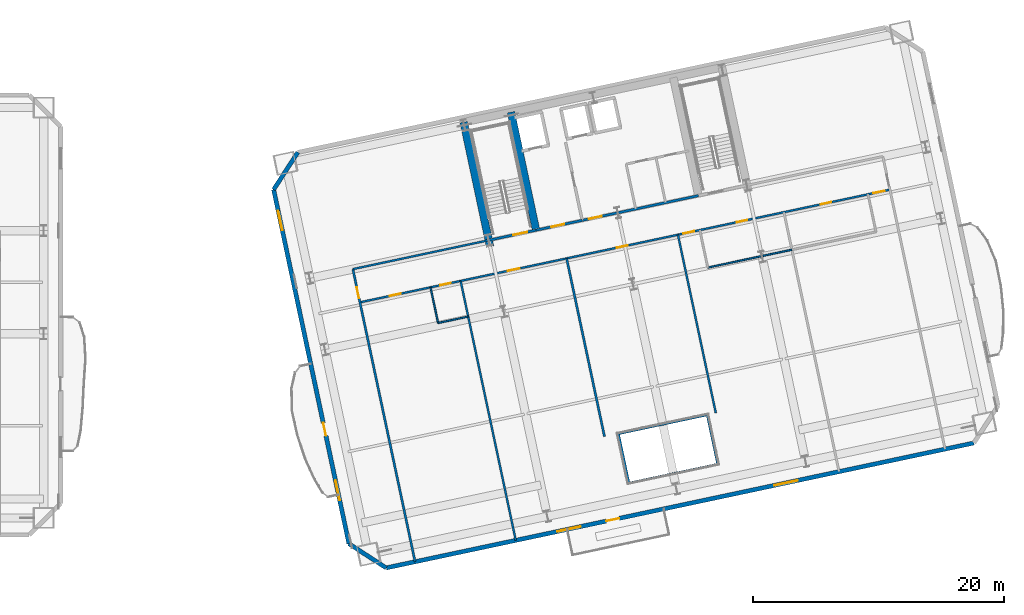
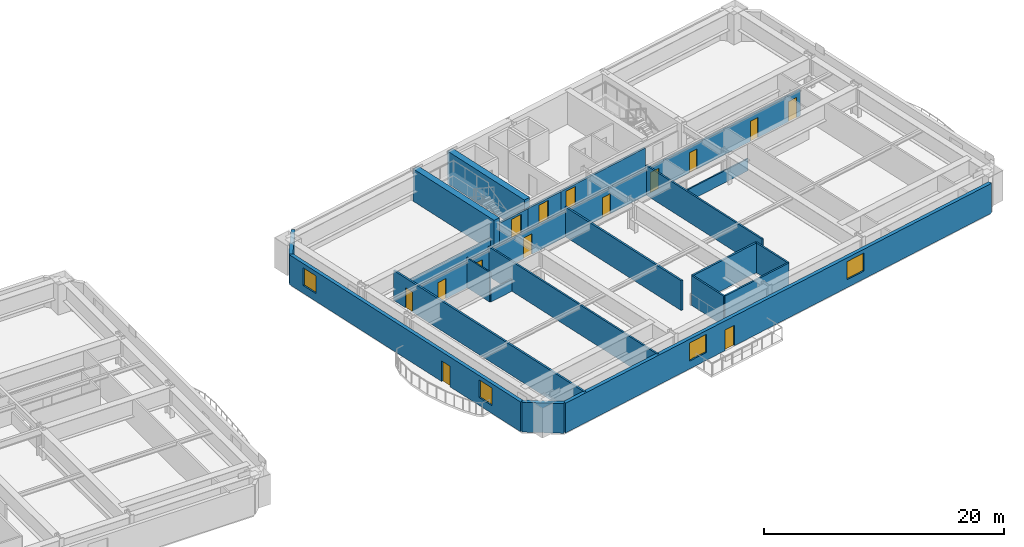
# One storey, part 9 of 18: 22 walls, 14 doors, 4 windows, 18 openings.
"""IFC4 building model written with IfcOpenShell, lengths in metres."""

import ifcopenshell
import ifcopenshell.guid

model = None  # the IFC model being written
_history = None  # IfcOwnerHistory: only IFC2X3 demands one
_inside = {}  # id of a spatial element -> (the spatial element, [elements in it])
_under = {}  # id of a project, library or spatial element -> (it, [spatial elements below it])
_declared = {}  # id of a project -> (the project, [libraries it declares])
_typed = {}  # id of a type object -> (the type object, [elements of that type])
_made_of = {}  # id of a material, layer set ... -> (it, [elements and type objects made of it])


def new_model(schema):
    """Start an empty IFC model of exactly this schema.

    Asked for "IFC4X3", IfcOpenShell would pick the latest addendum, in which some entities
    have other attributes; the version numbers below select the first issue.
    IFC2X3 requires an IfcOwnerHistory on every rooted entity: one is made here for all.
    """
    global model, _history
    if schema == "IFC4X3":
        model = ifcopenshell.file(schema_version=(4, 3, 0, 0))
    else:
        model = ifcopenshell.file(schema=schema)
    _inside.clear()
    _under.clear()
    _declared.clear()
    _typed.clear()
    _made_of.clear()
    _history = None
    if model.schema == "IFC2X3":
        org = make("IfcOrganization", Name="unknown")
        user = make(
            "IfcPersonAndOrganization",
            ThePerson=make("IfcPerson", FamilyName="unknown"),
            TheOrganization=org,
        )
        app = make(
            "IfcApplication",
            ApplicationDeveloper=org,
            Version="unknown",
            ApplicationFullName="unknown",
            ApplicationIdentifier="unknown",
        )
        _history = make(
            "IfcOwnerHistory",
            OwningUser=user,
            OwningApplication=app,
            ChangeAction="ADDED",
            CreationDate=0,
        )
    return model


def make(cls, **values):
    """One entity of the class cls with the attributes given. An attribute that is None is left unset."""
    return model.create_entity(
        cls, **{name: value for name, value in values.items() if value is not None}
    )


def rooted(cls, **values):
    """An entity with a GlobalId (a new one), such as an element, a storey or a relation."""
    return make(cls, GlobalId=ifcopenshell.guid.new(), OwnerHistory=_history, **values)


def si_unit(unit_type, name, prefix=None):
    """IfcSIUnit, for example si_unit("LENGTHUNIT", "METRE", prefix="MILLI")."""
    return make("IfcSIUnit", UnitType=unit_type, Prefix=prefix, Name=name)


def assignment(units):
    """IfcUnitAssignment: the units of a project."""
    return None if units is None else make("IfcUnitAssignment", Units=units)


def point(xyz):
    """IfcCartesianPoint."""
    return None if xyz is None else make("IfcCartesianPoint", Coordinates=xyz)


def direction(xyz):
    """IfcDirection."""
    return None if xyz is None else make("IfcDirection", DirectionRatios=xyz)


def frame(location, z_axis=None, x_axis=None):
    """IfcAxis2Placement3D, a coordinate frame: its origin and axes. An axis left out is left unset."""
    return make(
        "IfcAxis2Placement3D",
        Location=point(location),
        Axis=direction(z_axis),
        RefDirection=direction(x_axis),
    )


def frame_2d(location, x_axis=None):
    """IfcAxis2Placement2D, a coordinate frame in the plane: its origin and x axis."""
    return make(
        "IfcAxis2Placement2D", Location=point(location), RefDirection=direction(x_axis)
    )


def origin():
    """The frame at (0, 0, 0) with its axes left unset."""
    return frame((0.0, 0.0, 0.0))


def place(relative_to, where):
    """IfcLocalPlacement: puts the frame where relative to a parent placement (None: the world)."""
    return make(
        "IfcLocalPlacement", PlacementRelTo=relative_to, RelativePlacement=where
    )


def context(
    kind, dimensions, precision=None, world=None, true_north=None, identifier=None
):
    """IfcGeometricRepresentationContext, for example the 3D "Model" context."""
    return make(
        "IfcGeometricRepresentationContext",
        ContextIdentifier=identifier,
        ContextType=kind,
        CoordinateSpaceDimension=dimensions,
        Precision=precision,
        WorldCoordinateSystem=world,
        TrueNorth=true_north,
    )


def subcontext(parent, identifier, kind, view, scale=None):
    """IfcGeometricRepresentationSubContext, for example "Body" below "Model"."""
    return make(
        "IfcGeometricRepresentationSubContext",
        ContextIdentifier=identifier,
        ContextType=kind,
        ParentContext=parent,
        TargetScale=scale,
        TargetView=view,
    )


def project(units=None, contexts=None):
    """IfcProject with its units and contexts."""
    return rooted(
        "IfcProject",
        Name="project",
        RepresentationContexts=contexts,
        UnitsInContext=assignment(units),
    )


def spatial(cls, under=None, at=None, **own):
    """A site, building, storey or space (cls), placed at a placement, below another one or the project."""
    s = rooted(cls, ObjectPlacement=at, **own)
    if under is not None:
        _under.setdefault(under.id(), (under, []))[1].append(s)
    return s


def profile(cls, at=None, kind="AREA", **sizes):
    """A parametric profile (cls). Its sizes go by their IFC names, for example OverallWidth=200.0."""
    return make(cls, ProfileType=kind, Position=at, **sizes)


def rectangle(**sizes):
    """IfcRectangleProfileDef."""
    return profile("IfcRectangleProfileDef", **sizes)


def extrude(swept, where, along, depth):
    """IfcExtrudedAreaSolid: the profile swept, set in the frame where, extruded along a direction by depth."""
    return make(
        "IfcExtrudedAreaSolid",
        SweptArea=swept,
        Position=where,
        ExtrudedDirection=direction(along),
        Depth=depth,
    )


def shape(context_of_items, identifier, shape_type, items):
    """IfcShapeRepresentation: the items that make up one representation, for example the "Body"."""
    return make(
        "IfcShapeRepresentation",
        ContextOfItems=context_of_items,
        RepresentationIdentifier=identifier,
        RepresentationType=shape_type,
        Items=items,
    )


def material(Name=None, Category=None):
    """IfcMaterial."""
    return make("IfcMaterial", Name=Name, Category=Category)


def layer(
    of_material, thickness, ventilated=None, Name=None, Category=None, Priority=None
):
    """IfcMaterialLayer: one layer of a wall or slab, of a material (None: an air gap)."""
    return make(
        "IfcMaterialLayer",
        Material=of_material,
        LayerThickness=thickness,
        IsVentilated=ventilated,
        Name=Name,
        Category=Category,
        Priority=Priority,
    )


def layer_set(layers, Name=None):
    """IfcMaterialLayerSet."""
    return make("IfcMaterialLayerSet", MaterialLayers=layers, LayerSetName=Name)


def made_of(thing, what):
    """Note that an element or type object is made of a material, layer set ...; save() writes the relation."""
    if what is not None:
        _made_of.setdefault(what.id(), (what, []))[1].append(thing)
    return thing


def type_object(cls, material=None, **own):
    """A type object (cls), such as IfcWallType, which elements share."""
    return made_of(rooted(cls, **own), material)


def element(
    cls,
    number,
    at=None,
    inside=None,
    cuts=None,
    type_object=None,
    material=None,
    context=None,
    identifier="Body",
    shape_type=None,
    held_by="IfcProductDefinitionShape",
    body=None,
    shapes=None,
    **own,
):
    """One element of the class cls, such as IfcWall. Its Tag is "e" and its number.

    at: its placement. inside: the storey or other place that contains it. cuts: it is an
    opening in that element (IfcRelVoidsElement). A single representation is given by context,
    identifier, shape_type and body (its items); several are given by shapes. held_by: the class
    of the entity that holds the representations. save() writes the other relations.
    """
    e = rooted(cls, Tag="e%d" % number, ObjectPlacement=at, **own)
    if body is not None:
        shapes = [shape(context, identifier, shape_type, body)]
    if shapes is not None:
        e.Representation = make(held_by, Representations=shapes)
    if inside is not None:
        _inside.setdefault(inside.id(), (inside, []))[1].append(e)
    if cuts is not None:
        rooted(
            "IfcRelVoidsElement", RelatingBuildingElement=cuts, RelatedOpeningElement=e
        )
    if type_object is not None:
        _typed.setdefault(type_object.id(), (type_object, []))[1].append(e)
    return made_of(e, material)


def fill(opening, filler):
    """IfcRelFillsElement: the door or window that sits in an opening."""
    return rooted(
        "IfcRelFillsElement",
        RelatingOpeningElement=opening,
        RelatedBuildingElement=filler,
    )


def aggregate(whole, parts):
    """IfcRelAggregates: a whole, such as a stair, and the parts it consists of."""
    return rooted("IfcRelAggregates", RelatingObject=whole, RelatedObjects=parts)


def save(model, path):
    """Write the relations noted so far, then the file.

    IfcRelAggregates (storeys below a building ...), IfcRelContainedInSpatialStructure (elements
    in a storey), IfcRelDefinesByType, IfcRelAssociatesMaterial and IfcRelDeclares: one each for
    every whole, place, type object, material and project.
    """
    for whole, parts in _under.values():
        aggregate(whole, parts)
    for where, things in _inside.values():
        rooted(
            "IfcRelContainedInSpatialStructure",
            RelatedElements=things,
            RelatingStructure=where,
        )
    for kind, things in _typed.values():
        rooted("IfcRelDefinesByType", RelatedObjects=things, RelatingType=kind)
    for what, things in _made_of.values():
        rooted("IfcRelAssociatesMaterial", RelatedObjects=things, RelatingMaterial=what)
    for by, libraries in _declared.values():
        rooted("IfcRelDeclares", RelatingContext=by, RelatedDefinitions=libraries)
    model.write(path)


model = new_model("IFC4")

# Units and contexts
model_context = context("Model", 3, precision=1e-05, world=origin(), true_north=direction((0.0, 1.0)))
body_context = subcontext(model_context, "Body", "Model", "MODEL_VIEW")
ifc_project = project(units=[si_unit("LENGTHUNIT", "METRE"), si_unit("AREAUNIT", "SQUARE_METRE"), si_unit("VOLUMEUNIT", "CUBIC_METRE"), si_unit("PLANEANGLEUNIT", "RADIAN"), si_unit("MASSUNIT", "GRAM", prefix="KILO")], contexts=[model_context])

# Site, building, storey
site_placement = place(None, origin())
site = spatial("IfcSite", under=ifc_project, at=site_placement, CompositionType="ELEMENT")
building_placement = place(site_placement, origin())
building = spatial("IfcBuilding", under=site, at=building_placement, Name="Haevon Station Towers", CompositionType="ELEMENT")
storey_placement = place(building_placement, frame((0.0, 0.0, 47.10009765625)))
storey = spatial("IfcBuildingStorey", under=building, at=storey_placement, Name="L11", CompositionType="ELEMENT", Elevation=47.10009765625)

# Wall, opening, door
ifc_material_1 = material(Name="Gypsum board on steel stud", Category="steel")
ifc_layer_1 = layer(ifc_material_1, 0.179931640625)
ifc_layer_set_1 = layer_set([ifc_layer_1], Name="Gypsum board on steel stud")
wall_type_1 = type_object("IfcWallType", Name="WL-ACU180", PredefinedType="PARTITIONING", material=ifc_layer_set_1)
wall_1_placement = place(storey_placement, frame((92.89208984375, 11.864990234375, 0.0), z_axis=(0.0, 0.0, 1.0), x_axis=(-0.207908442811, 0.978148291113, 0.0)))
wall_1 = element("IfcWall", 1, at=wall_1_placement, inside=storey, type_object=wall_type_1, Name="WL-T2PT-L11-03", PredefinedType="PARTITIONING", context=body_context, shape_type="SweptSolid", body=[
    extrude(rectangle(XDim=23.800048828125, YDim=0.179931640625, at=frame_2d((11.89990234375, 0.0))), origin(), (0.0, 0.0, 1.0), 3.02978515625),
])
opening_1_placement = place(wall_1_placement, frame((21.419921875, 0.0, 0.0)))
opening_1 = element("IfcOpeningElement", 2, at=opening_1_placement, cuts=wall_1, Name="Opening DR-WL-T2PT-L11-03-01", PredefinedType="OPENING", context=body_context, shape_type="SweptSolid", body=[
    extrude(rectangle(XDim=0.89990234375, YDim=2.050048828125, at=frame_2d((0.449951171875, 1.02490234375))), frame((0.0, 0.099853515625, 0.0), z_axis=(0.0, -1.0, 0.0), x_axis=(1.0, 0.0, 0.0)), (0.0, 0.0, 1.0), 0.199951171875),
])
ifc_material_2 = material(Name="Engineered oak timber", Category="wood")
door_type_1 = type_object("IfcDoorType", Name="DR-INT-900", OperationType="NOTDEFINED", PredefinedType="DOOR", material=ifc_material_2)
door_1_placement = place(opening_1_placement, origin())
door_1 = element("IfcDoor", 3, at=door_1_placement, inside=storey, type_object=door_type_1, Name="L11 Tower 2 Room Door 3-1", OperationType="SINGLE_SWING_RIGHT", OverallHeight=2.050048828125, OverallWidth=0.89990234375, PredefinedType="DOOR", context=body_context, shape_type="SweptSolid", body=[
    extrude(rectangle(XDim=0.89990234375, YDim=2.050048828125, at=frame_2d((0.449951171875, 1.02490234375))), frame((0.0, 0.02490234375, 0.0), z_axis=(0.0, -1.0, 0.0), x_axis=(1.0, 0.0, 0.0)), (0.0, 0.0, 1.0), 0.050048828125),
])
fill(opening_1, door_1)

# Walls
wall_2_placement = place(storey_placement, frame((109.07763671875, 22.052978515625, 0.0), z_axis=(0.0, 0.0, 1.0), x_axis=(0.978151869997, 0.207891604498, 0.0)))
element("IfcWall", 4, at=wall_2_placement, inside=storey, type_object=wall_type_1, Name="WL-T2PT-L11-06", PredefinedType="PARTITIONING", context=body_context, shape_type="SweptSolid", body=[
    extrude(rectangle(XDim=7.199951171875, YDim=0.179931640625, at=frame_2d((3.60009765625, 0.0))), origin(), (0.0, 0.0, 1.0), 3.02978515625),
])
wall_3_placement = place(storey_placement, frame((107.961669921875, 21.815673828125, 0.0), z_axis=(0.0, 0.0, 1.0), x_axis=(-0.207923597401, 0.978145069836, 0.0)))
element("IfcWall", 5, at=wall_3_placement, inside=storey, type_object=wall_type_1, Name="WL-T2PT-L11-12", PredefinedType="PARTITIONING", context=body_context, shape_type="SweptSolid", body=[
    extrude(rectangle(XDim=14.5, YDim=0.179931640625, at=frame_2d((7.25, 0.0))), origin(), (0.0, 0.0, 1.0), 3.02978515625),
])

# Wall, opening, door
ifc_layer_2 = layer(ifc_material_1, 0.199951171875)
ifc_layer_set_2 = layer_set([ifc_layer_2], Name="Gypsum board on steel stud")
wall_type_2 = type_object("IfcWallType", Name="WL-COR200", PredefinedType="PARTITIONING", material=ifc_layer_set_2)
wall_4_placement = place(storey_placement, frame((98.75244140625, 37.4423828125, 0.0), z_axis=(0.0, 0.0, 1.0), x_axis=(0.978143537786, 0.207930804564, 0.0)))
wall_4 = element("IfcWall", 6, at=wall_4_placement, inside=storey, type_object=wall_type_2, Name="WL-ST-ST3-L11", PredefinedType="PARTITIONING", context=body_context, shape_type="SweptSolid", body=[
    extrude(rectangle(XDim=3.85009765625, YDim=0.199951171875, at=frame_2d((1.925048828125, 0.0))), origin(), (0.0, 0.0, 1.0), 2.329833984375),
])
opening_2_placement = place(wall_4_placement, frame((2.0, 0.0, 0.0)))
opening_2 = element("IfcOpeningElement", 7, at=opening_2_placement, cuts=wall_4, Name="Opening DR-ST-ST3-L11", PredefinedType="OPENING", context=body_context, shape_type="SweptSolid", body=[
    extrude(rectangle(XDim=1.1201171875, YDim=2.10009765625, at=frame_2d((0.56005859375, 1.050048828125))), frame((0.0, 0.10986328125, 0.0), z_axis=(0.0, -1.0, 0.0), x_axis=(1.0, 0.0, 0.0)), (0.0, 0.0, 1.0), 0.219970703125),
])
door_type_2 = type_object("IfcDoorType", Name="DR-ST-1120", OperationType="NOTDEFINED", PredefinedType="DOOR", material=ifc_material_2)
door_2_placement = place(opening_2_placement, origin())
door_2 = element("IfcDoor", 8, at=door_2_placement, inside=storey, type_object=door_type_2, Name="L11 Escape Stair ST3 Fire Door", OperationType="SINGLE_SWING_LEFT", OverallHeight=2.10009765625, OverallWidth=1.1201171875, PredefinedType="DOOR", context=body_context, shape_type="SweptSolid", body=[
    extrude(rectangle(XDim=1.1201171875, YDim=2.10009765625, at=frame_2d((0.56005859375, 1.050048828125))), frame((0.0, 0.02490234375, 0.0), z_axis=(0.0, -1.0, 0.0), x_axis=(1.0, 0.0, 0.0)), (0.0, 0.0, 1.0), 0.050048828125),
])
fill(opening_2, door_2)

wall_5_placement = place(storey_placement, frame((102.518310546875, 38.242919921875, 0.0), z_axis=(0.0, 0.0, 1.0), x_axis=(0.978153555683, 0.20788367301, 0.0)))
wall_5 = element("IfcWall", 9, at=wall_5_placement, inside=storey, type_object=wall_type_2, Name="WL-T2FFL-L11-S", PredefinedType="PARTITIONING", context=body_context, shape_type="SweptSolid", body=[
    extrude(rectangle(XDim=3.75, YDim=0.199951171875, at=frame_2d((1.875, 0.0))), origin(), (0.0, 0.0, 1.0), 2.329833984375),
])
opening_3_placement = place(wall_5_placement, frame((1.25, 0.0, 0.0)))
opening_3 = element("IfcOpeningElement", 10, at=opening_3_placement, cuts=wall_5, Name="Opening DR-T2FFL-L11-S", PredefinedType="OPENING", context=body_context, shape_type="SweptSolid", body=[
    extrude(rectangle(XDim=1.050048828125, YDim=2.10009765625, at=frame_2d((0.52490234375, 1.050048828125))), frame((0.0, 0.10986328125, 0.0), z_axis=(0.0, -1.0, 0.0), x_axis=(1.0, 0.0, 0.0)), (0.0, 0.0, 1.0), 0.219970703125),
])
door_type_3 = type_object("IfcDoorType", Name="DR-FD60-1050", OperationType="NOTDEFINED", PredefinedType="DOOR", material=ifc_material_2)
door_3_placement = place(opening_3_placement, origin())
door_3 = element("IfcDoor", 11, at=door_3_placement, inside=storey, type_object=door_type_3, Name="L11 Tower 2 Firefighting Lift Lobby Door S", OperationType="SINGLE_SWING_RIGHT", OverallHeight=2.10009765625, OverallWidth=1.050048828125, PredefinedType="DOOR", context=body_context, shape_type="SweptSolid", body=[
    extrude(rectangle(XDim=1.050048828125, YDim=2.10009765625, at=frame_2d((0.52490234375, 1.050048828125))), frame((0.0, 0.02490234375, 0.0), z_axis=(0.0, -1.0, 0.0), x_axis=(1.0, 0.0, 0.0)), (0.0, 0.0, 1.0), 0.050048828125),
])
fill(opening_3, door_3)

wall_6_placement = place(storey_placement, frame((106.186279296875, 39.0224609375, 0.0), z_axis=(0.0, 0.0, 1.0), x_axis=(0.978145519981, 0.20792147975, 0.0)))
wall_6 = element("IfcWall", 12, at=wall_6_placement, inside=storey, type_object=wall_type_2, Name="WL-T2CLB-L11", PredefinedType="PARTITIONING", context=body_context, shape_type="SweptSolid", body=[
    extrude(rectangle(XDim=9.449951171875, YDim=0.199951171875, at=frame_2d((4.72509765625, 0.0))), origin(), (0.0, 0.0, 1.0), 2.329833984375),
])
opening_4_placement = place(wall_6_placement, frame((0.550048828125, 0.0, 0.0)))
opening_4 = element("IfcOpeningElement", 13, at=opening_4_placement, cuts=wall_6, Name="Opening DR-T2CLB-L11-1", PredefinedType="OPENING", context=body_context, shape_type="SweptSolid", body=[
    extrude(rectangle(XDim=1.050048828125, YDim=2.10009765625, at=frame_2d((0.52490234375, 1.050048828125))), frame((0.0, 0.10986328125, 0.0), z_axis=(0.0, -1.0, 0.0), x_axis=(1.0, 0.0, 0.0)), (0.0, 0.0, 1.0), 0.219970703125),
])
door_4_placement = place(opening_4_placement, origin())
door_4 = element("IfcDoor", 14, at=door_4_placement, inside=storey, type_object=door_type_3, Name="L11 Tower 2 Core Lift Lobby Door 1", OperationType="SINGLE_SWING_LEFT", OverallHeight=2.10009765625, OverallWidth=1.050048828125, PredefinedType="DOOR", context=body_context, shape_type="SweptSolid", body=[
    extrude(rectangle(XDim=1.050048828125, YDim=2.10009765625, at=frame_2d((0.52490234375, 1.050048828125))), frame((0.0, 0.02490234375, 0.0), z_axis=(0.0, -1.0, 0.0), x_axis=(1.0, 0.0, 0.0)), (0.0, 0.0, 1.0), 0.050048828125),
])
fill(opening_4, door_4)

# Walls
ifc_material_3 = material(Name="Concrete C60/75", Category="concrete")
ifc_layer_3 = layer(ifc_material_3, 0.60009765625)
ifc_layer_set_3 = layer_set([ifc_layer_3], Name="Concrete C60/75")
wall_type_3 = type_object("IfcWallType", Name="WL-CR600", PredefinedType="SHEAR", material=ifc_layer_set_3)
wall_7_placement = place(storey_placement, frame((98.8603515625, 36.933837890625, 0.0), z_axis=(0.0, 0.0, 1.0), x_axis=(-0.20790924889, 0.978148119778, 0.0)))
element("IfcWall", 15, at=wall_7_placement, inside=storey, type_object=wall_type_3, Name="WL-T2CR-L11-W", PredefinedType="SHEAR", context=body_context, shape_type="SweptSolid", body=[
    extrude(rectangle(XDim=10.119873046875, YDim=0.60009765625, at=frame_2d((5.06005859375, 0.0))), origin(), (0.0, 0.0, 1.0), 3.2998046875),
])
wall_8_placement = place(storey_placement, frame((102.518310546875, 38.242919921875, 0.0), z_axis=(0.0, 0.0, 1.0), x_axis=(-0.207927495108, 0.978144241295, 0.0)))
element("IfcWall", 16, at=wall_8_placement, inside=storey, type_object=wall_type_3, Name="WL-T2CR-L11-M1", PredefinedType="SHEAR", context=body_context, shape_type="SweptSolid", body=[
    extrude(rectangle(XDim=9.599853515625, YDim=0.60009765625, at=frame_2d((4.7998046875, 0.0))), origin(), (0.0, 0.0, 1.0), 3.2998046875),
])

# Wall, openings, door, windows
ifc_material_4 = material(Name="Precast concrete C45/55", Category="concrete")
ifc_layer_4 = layer(ifc_material_4, 0.340087890625)
ifc_layer_set_4 = layer_set([ifc_layer_4], Name="Precast concrete C45/55")
wall_type_4 = type_object("IfcWallType", Name="WL-EXT-PIER340", PredefinedType="SOLIDWALL", material=ifc_layer_set_4)
wall_9_placement = place(storey_placement, frame((137.348876953125, 21.314697265625, 0.0), z_axis=(0.0, 0.0, 1.0), x_axis=(-0.97814729652, -0.207913122027, 0.0)))
wall_9 = element("IfcWall", 17, at=wall_9_placement, inside=storey, type_object=wall_type_4, Name="WL-T2-L11-S", PredefinedType="SOLIDWALL", context=body_context, shape_type="SweptSolid", body=[
    extrude(rectangle(XDim=47.800048828125, YDim=0.340087890625, at=frame_2d((23.89990234375, 0.0))), origin(), (0.0, 0.0, 1.0), 3.02978515625),
])
opening_5_placement = place(wall_9_placement, frame((28.841064453125, 0.0, 0.0)))
opening_5 = element("IfcOpeningElement", 18, at=opening_5_placement, cuts=wall_9, Name="Opening DR-T2-PBAND-L11-1", PredefinedType="OPENING", context=body_context, shape_type="SweptSolid", body=[
    extrude(rectangle(XDim=1.050048828125, YDim=2.10009765625, at=frame_2d((0.52490234375, 1.050048828125))), frame((0.0, 0.179931640625, 0.0), z_axis=(0.0, -1.0, 0.0), x_axis=(1.0, 0.0, 0.0)), (0.0, 0.0, 1.0), 0.360107421875),
])
opening_6_placement = place(wall_9_placement, frame((32.0009765625, 0.0, 0.800048828125)))
opening_6 = element("IfcOpeningElement", 19, at=opening_6_placement, cuts=wall_9, Name="Opening WN-P190", PredefinedType="OPENING", context=body_context, shape_type="SweptSolid", body=[
    extrude(rectangle(XDim=1.89990234375, YDim=1.85009765625, at=frame_2d((0.949951171875, 0.925048828125))), frame((0.0, 0.179931640625, 0.0), z_axis=(0.0, -1.0, 0.0), x_axis=(1.0, 0.0, 0.0)), (0.0, 0.0, 1.0), 0.360107421875),
])
opening_7_placement = place(wall_9_placement, frame((14.330078125, 0.0, 0.800048828125)))
opening_7 = element("IfcOpeningElement", 20, at=opening_7_placement, cuts=wall_9, Name="Opening WN-P190", PredefinedType="OPENING", context=body_context, shape_type="SweptSolid", body=[
    extrude(rectangle(XDim=1.89990234375, YDim=1.85009765625, at=frame_2d((0.949951171875, 0.925048828125))), frame((0.0, 0.179931640625, 0.0), z_axis=(0.0, -1.0, 0.0), x_axis=(1.0, 0.0, 0.0)), (0.0, 0.0, 1.0), 0.360107421875),
])
ifc_material_5 = material(Name="Thermally broken anodised aluminium and laminated safety glass", Category="aluminium")
door_type_4 = type_object("IfcDoorType", Name="DR-BALC-1050", OperationType="NOTDEFINED", PredefinedType="DOOR", material=ifc_material_5)
door_5_placement = place(opening_5_placement, origin())
door_5 = element("IfcDoor", 21, at=door_5_placement, inside=storey, type_object=door_type_4, Name="Tower 2 L11 Balcony Terrace Door", OperationType="SINGLE_SWING_RIGHT", OverallHeight=2.10009765625, OverallWidth=1.050048828125, PredefinedType="DOOR", context=body_context, shape_type="SweptSolid", body=[
    extrude(rectangle(XDim=1.050048828125, YDim=2.10009765625, at=frame_2d((0.52490234375, 1.050048828125))), frame((0.0, 0.02490234375, 0.0), z_axis=(0.0, -1.0, 0.0), x_axis=(1.0, 0.0, 0.0)), (0.0, 0.0, 1.0), 0.050048828125),
])
fill(opening_5, door_5)
ifc_material_6 = material(Name="Low-E triple glazing in thermally broken aluminium", Category="aluminium")
window_type_1 = type_object("IfcWindowType", Name="WN-P190", PartitioningType="SINGLE_PANEL", PredefinedType="WINDOW", material=ifc_material_6)
window_1_placement = place(opening_6_placement, origin())
window_1 = element("IfcWindow", 22, at=window_1_placement, inside=storey, type_object=window_type_1, Name="WN-T2-L11-S01", OverallHeight=1.85009765625, OverallWidth=1.89990234375, PartitioningType="SINGLE_PANEL", PredefinedType="WINDOW", context=body_context, shape_type="SweptSolid", body=[
    extrude(rectangle(XDim=1.89990234375, YDim=1.85009765625, at=frame_2d((0.949951171875, 0.925048828125))), frame((0.0, 0.030029296875, 0.0), z_axis=(0.0, -1.0, 0.0), x_axis=(1.0, 0.0, 0.0)), (0.0, 0.0, 1.0), 0.06005859375),
])
fill(opening_6, window_1)
window_2_placement = place(opening_7_placement, origin())
window_2 = element("IfcWindow", 23, at=window_2_placement, inside=storey, type_object=window_type_1, Name="WN-T2-L11-S02", OverallHeight=1.85009765625, OverallWidth=1.89990234375, PartitioningType="SINGLE_PANEL", PredefinedType="WINDOW", context=body_context, shape_type="SweptSolid", body=[
    extrude(rectangle(XDim=1.89990234375, YDim=1.85009765625, at=frame_2d((0.949951171875, 0.925048828125))), frame((0.0, 0.030029296875, 0.0), z_axis=(0.0, -1.0, 0.0), x_axis=(1.0, 0.0, 0.0)), (0.0, 0.0, 1.0), 0.06005859375),
])
fill(opening_7, window_2)

# Wall
wall_10_placement = place(storey_placement, frame((90.593505859375, 11.37646484375, 0.0), z_axis=(0.0, 0.0, 1.0), x_axis=(-0.838672309694, 0.544636352948, 0.0)))
element("IfcWall", 24, at=wall_10_placement, inside=storey, type_object=wall_type_4, Name="WL-T2-L11-SWC", PredefinedType="SOLIDWALL", context=body_context, shape_type="SweptSolid", body=[
    extrude(rectangle(XDim=3.535400390625, YDim=0.340087890625, at=frame_2d((1.767578125, 0.0))), origin(), (0.0, 0.0, 1.0), 3.02978515625),
])

# Wall, openings, door, windows
wall_11_placement = place(storey_placement, frame((87.62841796875, 13.302001953125, 0.0), z_axis=(0.0, 0.0, 1.0), x_axis=(-0.207917660404, 0.97814633184, 0.0)))
wall_11 = element("IfcWall", 25, at=wall_11_placement, inside=storey, type_object=wall_type_4, Name="WL-T2-L11-W", PredefinedType="SOLIDWALL", context=body_context, shape_type="SweptSolid", body=[
    extrude(rectangle(XDim=28.800048828125, YDim=0.340087890625, at=frame_2d((14.39990234375, 0.0))), origin(), (0.0, 0.0, 1.0), 3.02978515625),
])
opening_8_placement = place(wall_11_placement, frame((8.77490234375, 0.0, 0.0)))
opening_8 = element("IfcOpeningElement", 26, at=opening_8_placement, cuts=wall_11, Name="Opening DR-T2-SCAL-L11-W", PredefinedType="OPENING", context=body_context, shape_type="SweptSolid", body=[
    extrude(rectangle(XDim=1.050048828125, YDim=2.10009765625, at=frame_2d((0.52490234375, 1.050048828125))), frame((0.0, 0.179931640625, 0.0), z_axis=(0.0, -1.0, 0.0), x_axis=(1.0, 0.0, 0.0)), (0.0, 0.0, 1.0), 0.360107421875),
])
opening_9_placement = place(wall_11_placement, frame((3.54296875, 0.0, 0.800048828125)))
opening_9 = element("IfcOpeningElement", 27, at=opening_9_placement, cuts=wall_11, Name="Opening WN-END160", PredefinedType="OPENING", context=body_context, shape_type="SweptSolid", body=[
    extrude(rectangle(XDim=1.60009765625, YDim=1.800048828125, at=frame_2d((0.800048828125, 0.89990234375))), frame((0.0, 0.179931640625, 0.0), z_axis=(0.0, -1.0, 0.0), x_axis=(1.0, 0.0, 0.0)), (0.0, 0.0, 1.0), 0.360107421875),
])
opening_10_placement = place(wall_11_placement, frame((25.485595703125, 0.0, 0.800048828125)))
opening_10 = element("IfcOpeningElement", 28, at=opening_10_placement, cuts=wall_11, Name="Opening WN-END160", PredefinedType="OPENING", context=body_context, shape_type="SweptSolid", body=[
    extrude(rectangle(XDim=1.60009765625, YDim=1.800048828125, at=frame_2d((0.800048828125, 0.89990234375))), frame((0.0, 0.179931640625, 0.0), z_axis=(0.0, -1.0, 0.0), x_axis=(1.0, 0.0, 0.0)), (0.0, 0.0, 1.0), 0.360107421875),
])
door_6_placement = place(opening_8_placement, origin())
door_6 = element("IfcDoor", 29, at=door_6_placement, inside=storey, type_object=door_type_4, Name="Tower 2 L11 West Scalloped Balcony Door", OperationType="SINGLE_SWING_LEFT", OverallHeight=2.10009765625, OverallWidth=1.050048828125, PredefinedType="DOOR", context=body_context, shape_type="SweptSolid", body=[
    extrude(rectangle(XDim=1.050048828125, YDim=2.10009765625, at=frame_2d((0.52490234375, 1.050048828125))), frame((0.0, 0.02490234375, 0.0), z_axis=(0.0, -1.0, 0.0), x_axis=(1.0, 0.0, 0.0)), (0.0, 0.0, 1.0), 0.050048828125),
])
fill(opening_8, door_6)
window_type_2 = type_object("IfcWindowType", Name="WN-END160", PartitioningType="SINGLE_PANEL", PredefinedType="WINDOW", material=ifc_material_6)
window_3_placement = place(opening_9_placement, origin())
window_3 = element("IfcWindow", 30, at=window_3_placement, inside=storey, type_object=window_type_2, Name="WN-T2-L11-W01", OverallHeight=1.800048828125, OverallWidth=1.60009765625, PartitioningType="SINGLE_PANEL", PredefinedType="WINDOW", context=body_context, shape_type="SweptSolid", body=[
    extrude(rectangle(XDim=1.60009765625, YDim=1.800048828125, at=frame_2d((0.800048828125, 0.89990234375))), frame((0.0, 0.030029296875, 0.0), z_axis=(0.0, -1.0, 0.0), x_axis=(1.0, 0.0, 0.0)), (0.0, 0.0, 1.0), 0.06005859375),
])
fill(opening_9, window_3)
window_4_placement = place(opening_10_placement, origin())
window_4 = element("IfcWindow", 31, at=window_4_placement, inside=storey, type_object=window_type_2, Name="WN-T2-L11-W02", OverallHeight=1.800048828125, OverallWidth=1.60009765625, PartitioningType="SINGLE_PANEL", PredefinedType="WINDOW", context=body_context, shape_type="SweptSolid", body=[
    extrude(rectangle(XDim=1.60009765625, YDim=1.800048828125, at=frame_2d((0.800048828125, 0.89990234375))), frame((0.0, 0.030029296875, 0.0), z_axis=(0.0, -1.0, 0.0), x_axis=(1.0, 0.0, 0.0)), (0.0, 0.0, 1.0), 0.06005859375),
])
fill(opening_10, window_4)

# Walls
wall_12_placement = place(storey_placement, frame((81.640380859375, 41.47265625, 0.0), z_axis=(0.0, 0.0, 1.0), x_axis=(0.544653380146, 0.838661251934, 0.0)))
element("IfcWall", 32, at=wall_12_placement, inside=storey, type_object=wall_type_4, Name="WL-T2-L11-NWC", PredefinedType="SOLIDWALL", context=body_context, shape_type="SweptSolid", body=[
    extrude(rectangle(XDim=3.535888671875, YDim=0.340087890625, at=frame_2d((1.76806640625, 0.0))), origin(), (0.0, 0.0, 1.0), 3.02978515625),
])
ifc_layer_5 = layer(ifc_material_1, 0.125)
ifc_layer_set_5 = layer_set([ifc_layer_5], Name="Gypsum board on steel stud")
wall_type_5 = type_object("IfcWallType", Name="WL-PRT125", PredefinedType="PARTITIONING", material=ifc_layer_set_5)
wall_13_placement = place(storey_placement, frame((94.7216796875, 30.860595703125, 0.0), z_axis=(0.0, 0.0, 1.0), x_axis=(0.978156824814, 0.207868290196, 0.0)))
element("IfcWall", 33, at=wall_13_placement, inside=storey, type_object=wall_type_5, Name="WL-T2PT-L11-09", PredefinedType="PARTITIONING", context=body_context, shape_type="SweptSolid", body=[
    extrude(rectangle(XDim=2.449951171875, YDim=0.125, at=frame_2d((1.22509765625, 0.0))), origin(), (0.0, 0.0, 1.0), 1.22998046875),
])
wall_14_placement = place(storey_placement, frame((94.7216796875, 30.860595703125, 0.0), z_axis=(0.0, 0.0, 1.0), x_axis=(-0.207936282142, 0.978142373363, 0.0)))
element("IfcWall", 34, at=wall_14_placement, inside=storey, type_object=wall_type_5, Name="WL-T2PT-L11-10", PredefinedType="PARTITIONING", context=body_context, shape_type="SweptSolid", body=[
    extrude(rectangle(XDim=2.900146484375, YDim=0.125, at=frame_2d((1.4501953125, 0.0))), origin(), (0.0, 0.0, 1.0), 3.02978515625),
])
wall_15_placement = place(storey_placement, frame((116.17529296875, 35.267333984375, 0.0), z_axis=(0.0, 0.0, 1.0), x_axis=(0.97814687495, 0.207915105334, 0.0)))
element("IfcWall", 35, at=wall_15_placement, inside=storey, type_object=wall_type_5, Name="WL-T2PT-L11-15", PredefinedType="PARTITIONING", context=body_context, shape_type="SweptSolid", body=[
    extrude(rectangle(XDim=6.83984375, YDim=0.125, at=frame_2d((3.419921875, 0.0))), origin(), (0.0, 0.0, 1.0), 1.22998046875),
])
ifc_layer_6 = layer(ifc_material_1, 0.159912109375)
ifc_layer_set_6 = layer_set([ifc_layer_6], Name="Gypsum board on steel stud")
wall_type_6 = type_object("IfcWallType", Name="WL-PRT160", PredefinedType="PARTITIONING", material=ifc_layer_set_6)
wall_16_placement = place(storey_placement, frame((87.94384765625, 35.14501953125, 0.0), z_axis=(0.0, 0.0, 1.0), x_axis=(0.978148967098, 0.207905262477, 0.0)))
element("IfcWall", 36, at=wall_16_placement, inside=storey, type_object=wall_type_6, Name="WL-T2PT-L11-01", PredefinedType="PARTITIONING", context=body_context, shape_type="SweptSolid", body=[
    extrude(rectangle(XDim=11.050048828125, YDim=0.159912109375, at=frame_2d((5.52490234375, 0.0))), origin(), (0.0, 0.0, 1.0), 1.22998046875),
])
wall_17_placement = place(storey_placement, frame((109.9091796875, 18.140380859375, 0.0), z_axis=(0.0, 0.0, 1.0), x_axis=(0.978151869997, 0.207891604498, 0.0)))
element("IfcWall", 37, at=wall_17_placement, inside=storey, type_object=wall_type_6, Name="WL-T2PT-L11-05", PredefinedType="PARTITIONING", context=body_context, shape_type="SweptSolid", body=[
    extrude(rectangle(XDim=7.199951171875, YDim=0.159912109375, at=frame_2d((3.60009765625, 0.0))), origin(), (0.0, 0.0, 1.0), 3.02978515625),
])
for number, where, z_axis, x_axis, name in (
    (38, (109.9091796875, 18.140380859375, 0.0), (0.0, 0.0, 1.0), (-0.207886494942, 0.978152955943, 0.0), "WL-T2PT-L11-07"),
    (39, (116.951904296875, 19.63720703125, 0.0), (0.0, 0.0, 1.0), (-0.207886494942, 0.978152955943, 0.0), "WL-T2PT-L11-08"),
):
    element("IfcWall", number, at=place(storey_placement, frame(where, z_axis=z_axis, x_axis=x_axis)), inside=storey, type_object=wall_type_6, Name=name, PredefinedType="PARTITIONING", context=body_context, shape_type="SweptSolid", body=[
        extrude(rectangle(XDim=4.0, YDim=0.159912109375, at=frame_2d((2.0, 0.0))), origin(), (0.0, 0.0, 1.0), 3.02978515625),
    ])
wall_18_placement = place(storey_placement, frame((100.902099609375, 13.567626953125, 0.0), z_axis=(0.0, 0.0, 1.0), x_axis=(-0.207912863691, 0.978147351431, 0.0)))
element("IfcWall", 40, at=wall_18_placement, inside=storey, type_object=wall_type_6, Name="WL-T2PT-L11-11", PredefinedType="PARTITIONING", context=body_context, shape_type="SweptSolid", body=[
    extrude(rectangle(XDim=21.10009765625, YDim=0.159912109375, at=frame_2d((10.550048828125, 0.0))), origin(), (0.0, 0.0, 1.0), 3.02978515625),
])
wall_19_placement = place(storey_placement, frame((116.814697265625, 23.697509765625, 0.0), z_axis=(0.0, 0.0, 1.0), x_axis=(-0.207907487947, 0.978148494072, 0.0)))
element("IfcWall", 41, at=wall_19_placement, inside=storey, type_object=wall_type_6, Name="WL-T2PT-L11-13", PredefinedType="PARTITIONING", context=body_context, shape_type="SweptSolid", body=[
    extrude(rectangle(XDim=14.5, YDim=0.159912109375, at=frame_2d((7.25, 0.0))), origin(), (0.0, 0.0, 1.0), 3.02978515625),
])

# Wall, openings, doors
wall_20_placement = place(storey_placement, frame((88.505126953125, 32.50390625, 0.0), z_axis=(0.0, 0.0, 1.0), x_axis=(0.978146756403, 0.20791566304, 0.0)))
wall_20 = element("IfcWall", 42, at=wall_20_placement, inside=storey, type_object=wall_type_6, Name="WL-T2PT-L11-20", PredefinedType="PARTITIONING", context=body_context, shape_type="SweptSolid", body=[
    extrude(rectangle(XDim=43.10009765625, YDim=0.159912109375, at=frame_2d((21.550048828125, 0.0))), origin(), (0.0, 0.0, 1.0), 2.6298828125),
])
opening_11_placement = place(wall_20_placement, frame((6.5390625, 0.0, 0.0)))
opening_11 = element("IfcOpeningElement", 43, at=opening_11_placement, cuts=wall_20, Name="Opening DR-WL-T2PT-L11-20-01", PredefinedType="OPENING", context=body_context, shape_type="SweptSolid", body=[
    extrude(rectangle(XDim=0.85009765625, YDim=2.050048828125, at=frame_2d((0.425048828125, 1.02490234375))), frame((0.0, 0.08984375, 0.0), z_axis=(0.0, -1.0, 0.0), x_axis=(1.0, 0.0, 0.0)), (0.0, 0.0, 1.0), 0.179931640625),
])
opening_12_placement = place(wall_20_placement, frame((2.419921875, 0.0, 0.0)))
opening_12 = element("IfcOpeningElement", 44, at=opening_12_placement, cuts=wall_20, Name="Opening DR-WL-T2PT-L11-20-02", PredefinedType="OPENING", context=body_context, shape_type="SweptSolid", body=[
    extrude(rectangle(XDim=0.89990234375, YDim=2.050048828125, at=frame_2d((0.449951171875, 1.02490234375))), frame((0.0, 0.08984375, 0.0), z_axis=(0.0, -1.0, 0.0), x_axis=(1.0, 0.0, 0.0)), (0.0, 0.0, 1.0), 0.179931640625),
])
opening_13_placement = place(wall_20_placement, frame((12.02392578125, 0.0, 0.0)))
opening_13 = element("IfcOpeningElement", 45, at=opening_13_placement, cuts=wall_20, Name="Opening DR-WL-T2PT-L11-20-03", PredefinedType="OPENING", context=body_context, shape_type="SweptSolid", body=[
    extrude(rectangle(XDim=0.949951171875, YDim=2.10009765625, at=frame_2d((0.47509765625, 1.050048828125))), frame((0.0, 0.08984375, 0.0), z_axis=(0.0, -1.0, 0.0), x_axis=(1.0, 0.0, 0.0)), (0.0, 0.0, 1.0), 0.179931640625),
])
opening_14_placement = place(wall_20_placement, frame((20.885009765625, 0.0, 0.0)))
opening_14 = element("IfcOpeningElement", 46, at=opening_14_placement, cuts=wall_20, Name="Opening DR-WL-T2PT-L11-20-04", PredefinedType="OPENING", context=body_context, shape_type="SweptSolid", body=[
    extrude(rectangle(XDim=0.89990234375, YDim=2.050048828125, at=frame_2d((0.449951171875, 1.02490234375))), frame((0.0, 0.08984375, 0.0), z_axis=(0.0, -1.0, 0.0), x_axis=(1.0, 0.0, 0.0)), (0.0, 0.0, 1.0), 0.179931640625),
])
opening_15_placement = place(wall_20_placement, frame((30.635009765625, 0.0, 0.0)))
opening_15 = element("IfcOpeningElement", 47, at=opening_15_placement, cuts=wall_20, Name="Opening DR-WL-T2PT-L11-20-05", PredefinedType="OPENING", context=body_context, shape_type="SweptSolid", body=[
    extrude(rectangle(XDim=0.85009765625, YDim=2.050048828125, at=frame_2d((0.425048828125, 1.02490234375))), frame((0.0, 0.08984375, 0.0), z_axis=(0.0, -1.0, 0.0), x_axis=(1.0, 0.0, 0.0)), (0.0, 0.0, 1.0), 0.179931640625),
])
opening_16_placement = place(wall_20_placement, frame((26.300048828125, 0.0, 0.0)))
opening_16 = element("IfcOpeningElement", 48, at=opening_16_placement, cuts=wall_20, Name="Opening DR-WL-T2PT-L11-20-06", PredefinedType="OPENING", context=body_context, shape_type="SweptSolid", body=[
    extrude(rectangle(XDim=0.89990234375, YDim=2.050048828125, at=frame_2d((0.449951171875, 1.02490234375))), frame((0.0, 0.08984375, 0.0), z_axis=(0.0, -1.0, 0.0), x_axis=(1.0, 0.0, 0.0)), (0.0, 0.0, 1.0), 0.179931640625),
])
opening_17_placement = place(wall_20_placement, frame((37.47509765625, 0.0, 0.0)))
opening_17 = element("IfcOpeningElement", 49, at=opening_17_placement, cuts=wall_20, Name="Opening DR-WL-T2PT-L11-20-07", PredefinedType="OPENING", context=body_context, shape_type="SweptSolid", body=[
    extrude(rectangle(XDim=0.85009765625, YDim=2.050048828125, at=frame_2d((0.425048828125, 1.02490234375))), frame((0.0, 0.08984375, 0.0), z_axis=(0.0, -1.0, 0.0), x_axis=(1.0, 0.0, 0.0)), (0.0, 0.0, 1.0), 0.179931640625),
])
opening_18_placement = place(wall_20_placement, frame((41.760009765625, 0.0, 0.0)))
opening_18 = element("IfcOpeningElement", 50, at=opening_18_placement, cuts=wall_20, Name="Opening DR-WL-T2PT-L11-20-08", PredefinedType="OPENING", context=body_context, shape_type="SweptSolid", body=[
    extrude(rectangle(XDim=0.89990234375, YDim=2.050048828125, at=frame_2d((0.449951171875, 1.02490234375))), frame((0.0, 0.08984375, 0.0), z_axis=(0.0, -1.0, 0.0), x_axis=(1.0, 0.0, 0.0)), (0.0, 0.0, 1.0), 0.179931640625),
])
door_type_5 = type_object("IfcDoorType", Name="DR-FD30-850", OperationType="NOTDEFINED", PredefinedType="DOOR", material=ifc_material_2)
door_7_placement = place(opening_11_placement, origin())
door_7 = element("IfcDoor", 51, at=door_7_placement, inside=storey, type_object=door_type_5, Name="L11 Tower 2 Room Door 20-1", OperationType="SINGLE_SWING_RIGHT", OverallHeight=2.050048828125, OverallWidth=0.85009765625, PredefinedType="DOOR", context=body_context, shape_type="SweptSolid", body=[
    extrude(rectangle(XDim=0.85009765625, YDim=2.050048828125, at=frame_2d((0.425048828125, 1.02490234375))), frame((0.0, 0.02490234375, 0.0), z_axis=(0.0, -1.0, 0.0), x_axis=(1.0, 0.0, 0.0)), (0.0, 0.0, 1.0), 0.050048828125),
])
fill(opening_11, door_7)
door_8_placement = place(opening_15_placement, origin())
door_8 = element("IfcDoor", 52, at=door_8_placement, inside=storey, type_object=door_type_5, Name="L11 Tower 2 Room Door 20-5", OperationType="SINGLE_SWING_RIGHT", OverallHeight=2.050048828125, OverallWidth=0.85009765625, PredefinedType="DOOR", context=body_context, shape_type="SweptSolid", body=[
    extrude(rectangle(XDim=0.85009765625, YDim=2.050048828125, at=frame_2d((0.425048828125, 1.02490234375))), frame((0.0, 0.02490234375, 0.0), z_axis=(0.0, -1.0, 0.0), x_axis=(1.0, 0.0, 0.0)), (0.0, 0.0, 1.0), 0.050048828125),
])
fill(opening_15, door_8)
door_9_placement = place(opening_17_placement, origin())
door_9 = element("IfcDoor", 53, at=door_9_placement, inside=storey, type_object=door_type_5, Name="L11 Tower 2 Room Door 20-7", OperationType="SINGLE_SWING_RIGHT", OverallHeight=2.050048828125, OverallWidth=0.85009765625, PredefinedType="DOOR", context=body_context, shape_type="SweptSolid", body=[
    extrude(rectangle(XDim=0.85009765625, YDim=2.050048828125, at=frame_2d((0.425048828125, 1.02490234375))), frame((0.0, 0.02490234375, 0.0), z_axis=(0.0, -1.0, 0.0), x_axis=(1.0, 0.0, 0.0)), (0.0, 0.0, 1.0), 0.050048828125),
])
fill(opening_17, door_9)
door_type_6 = type_object("IfcDoorType", Name="DR-FD30-950", OperationType="NOTDEFINED", PredefinedType="DOOR", material=ifc_material_2)
door_10_placement = place(opening_13_placement, origin())
door_10 = element("IfcDoor", 54, at=door_10_placement, inside=storey, type_object=door_type_6, Name="L11 Tower 2 Room Door 20-3", OperationType="SINGLE_SWING_RIGHT", OverallHeight=2.10009765625, OverallWidth=0.949951171875, PredefinedType="DOOR", context=body_context, shape_type="SweptSolid", body=[
    extrude(rectangle(XDim=0.949951171875, YDim=2.10009765625, at=frame_2d((0.47509765625, 1.050048828125))), frame((0.0, 0.02490234375, 0.0), z_axis=(0.0, -1.0, 0.0), x_axis=(1.0, 0.0, 0.0)), (0.0, 0.0, 1.0), 0.050048828125),
])
fill(opening_13, door_10)
door_11_placement = place(opening_12_placement, origin())
door_11 = element("IfcDoor", 55, at=door_11_placement, inside=storey, type_object=door_type_1, Name="L11 Tower 2 Room Door 20-2", OperationType="SINGLE_SWING_LEFT", OverallHeight=2.050048828125, OverallWidth=0.89990234375, PredefinedType="DOOR", context=body_context, shape_type="SweptSolid", body=[
    extrude(rectangle(XDim=0.89990234375, YDim=2.050048828125, at=frame_2d((0.449951171875, 1.02490234375))), frame((0.0, 0.02490234375, 0.0), z_axis=(0.0, -1.0, 0.0), x_axis=(1.0, 0.0, 0.0)), (0.0, 0.0, 1.0), 0.050048828125),
])
fill(opening_12, door_11)
door_12_placement = place(opening_14_placement, origin())
door_12 = element("IfcDoor", 56, at=door_12_placement, inside=storey, type_object=door_type_1, Name="L11 Tower 2 Room Door 20-4", OperationType="SINGLE_SWING_LEFT", OverallHeight=2.050048828125, OverallWidth=0.89990234375, PredefinedType="DOOR", context=body_context, shape_type="SweptSolid", body=[
    extrude(rectangle(XDim=0.89990234375, YDim=2.050048828125, at=frame_2d((0.449951171875, 1.02490234375))), frame((0.0, 0.02490234375, 0.0), z_axis=(0.0, -1.0, 0.0), x_axis=(1.0, 0.0, 0.0)), (0.0, 0.0, 1.0), 0.050048828125),
])
fill(opening_14, door_12)
door_13_placement = place(opening_16_placement, origin())
door_13 = element("IfcDoor", 57, at=door_13_placement, inside=storey, type_object=door_type_1, Name="L11 Tower 2 Room Door 20-6", OperationType="SINGLE_SWING_LEFT", OverallHeight=2.050048828125, OverallWidth=0.89990234375, PredefinedType="DOOR", context=body_context, shape_type="SweptSolid", body=[
    extrude(rectangle(XDim=0.89990234375, YDim=2.050048828125, at=frame_2d((0.449951171875, 1.02490234375))), frame((0.0, 0.02490234375, 0.0), z_axis=(0.0, -1.0, 0.0), x_axis=(1.0, 0.0, 0.0)), (0.0, 0.0, 1.0), 0.050048828125),
])
fill(opening_16, door_13)
door_14_placement = place(opening_18_placement, origin())
door_14 = element("IfcDoor", 58, at=door_14_placement, inside=storey, type_object=door_type_1, Name="L11 Tower 2 Room Door 20-8", OperationType="SINGLE_SWING_LEFT", OverallHeight=2.050048828125, OverallWidth=0.89990234375, PredefinedType="DOOR", context=body_context, shape_type="SweptSolid", body=[
    extrude(rectangle(XDim=0.89990234375, YDim=2.050048828125, at=frame_2d((0.449951171875, 1.02490234375))), frame((0.0, 0.02490234375, 0.0), z_axis=(0.0, -1.0, 0.0), x_axis=(1.0, 0.0, 0.0)), (0.0, 0.0, 1.0), 0.050048828125),
])
fill(opening_18, door_14)

save(model, "model.ifc")
